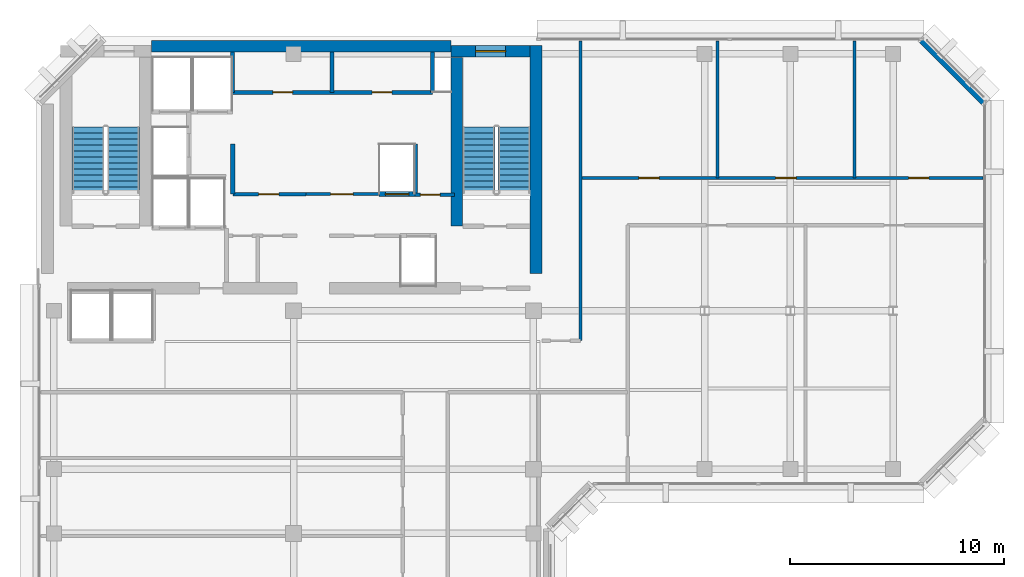
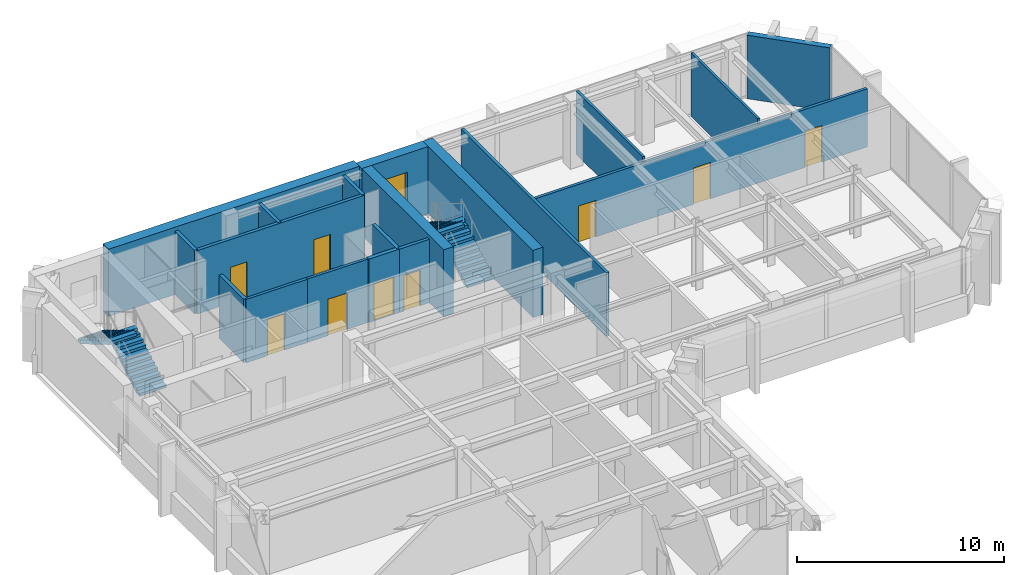
# One storey, part 8 of 11: 19 walls, 9 doors, 4 stair flights, 1 window, 10 openings, 2 elements without a shape of their own.
"""IFC4 building model written with IfcOpenShell, lengths in metres."""

from ifc_helpers import new_model, si_unit, direction, frame, frame_2d, origin, place, context, subcontext, project, spatial, polyline, rectangle, outline, extrude, material, layer, layer_set, type_object, element, fill, aggregate, save


model = new_model("IFC4")

# Units and contexts
model_context = context("Model", 3, precision=1e-05, world=origin(), true_north=direction((0.0, 1.0)))
body_context = subcontext(model_context, "Body", "Model", "MODEL_VIEW")
ifc_project = project(units=[si_unit("LENGTHUNIT", "METRE"), si_unit("AREAUNIT", "SQUARE_METRE"), si_unit("VOLUMEUNIT", "CUBIC_METRE"), si_unit("PLANEANGLEUNIT", "RADIAN"), si_unit("MASSUNIT", "GRAM", prefix="KILO")], contexts=[model_context])

# Site, building, storey
site_placement = place(None, origin())
site = spatial("IfcSite", under=ifc_project, at=site_placement, CompositionType="ELEMENT")
building_placement = place(site_placement, origin())
building = spatial("IfcBuilding", under=site, at=building_placement, Name="Kefirva Bronze Tower", CompositionType="ELEMENT")
storey_placement = place(building_placement, frame((0.0, 0.0, 315.81005859375)))
storey = spatial("IfcBuildingStorey", under=building, at=storey_placement, Name="L77", CompositionType="ELEMENT", Elevation=315.81005859375)

# Walls
ifc_material_1 = material(Name="Gypsum acoustic partition")
ifc_layer_1 = layer(ifc_material_1, 0.1298828125, Name="Gypsum acoustic partition")
ifc_layer_set_1 = layer_set([ifc_layer_1], Name="Gypsum acoustic partition")
wall_type_1 = type_object("IfcWallType", Name="Acoustic Office Partition 130mm", PredefinedType="PARTITIONING", material=ifc_layer_set_1)
for number, where, z_axis, x_axis, name in (
    (1, (31.79541015625, 39.39990234375, 0.0), (0.0, 0.0, 1.0), (0.0, 1.0, 0.0), "L77 Partition W-L77-END1"),
    (2, (38.19091796875, 39.39990234375, 0.0), (0.0, 0.0, 1.0), (0.0, 1.0, 0.0), "L77 Partition W-L77-END2"),
):
    element("IfcWall", number, at=place(storey_placement, frame(where, z_axis=z_axis, x_axis=x_axis)), inside=storey, type_object=wall_type_1, Name=name, PredefinedType="PARTITIONING", context=body_context, shape_type="SweptSolid", body=[
        extrude(rectangle(XDim=6.41015625, YDim=0.1298828125, at=frame_2d((3.205078125, 0.0))), origin(), (0.0, 0.0, 1.0), 3.739990234375),
    ])

# Wall, opening, door
ifc_layer_2 = layer(ifc_material_1, 0.14990234375, Name="Gypsum acoustic partition")
ifc_layer_set_2 = layer_set([ifc_layer_2], Name="Gypsum acoustic partition")
wall_type_2 = type_object("IfcWallType", Name="Executive Suite Partition 150mm", PredefinedType="PARTITIONING", material=ifc_layer_set_2)
wall_1_placement = place(storey_placement, frame((12.580078125, 38.64990234375, 0.0), z_axis=(0.0, 0.0, 1.0), x_axis=(1.0, 0.0, 0.0)))
wall_1 = element("IfcWall", 3, at=wall_1_placement, inside=storey, type_object=wall_type_2, Name="L77 Partition W-L77-RECMP2", PredefinedType="PARTITIONING", context=body_context, shape_type="SweptSolid", body=[
    extrude(rectangle(XDim=3.3798828125, YDim=0.14990234375, at=frame_2d((1.68994140625, 0.0))), origin(), (0.0, 0.0, 1.0), 3.739990234375),
])
opening_1_placement = place(wall_1_placement, frame((2.199951171875, 0.0, 0.0), z_axis=(0.0, 0.0, 1.0), x_axis=(-1.0, 0.0, 0.0)))
opening_1 = element("IfcOpeningElement", 4, at=opening_1_placement, cuts=wall_1, Name="Opening L77-D-RECMP2", PredefinedType="OPENING", context=body_context, shape_type="SweptSolid", body=[
    extrude(rectangle(XDim=1.050048828125, YDim=2.14990234375, at=frame_2d((0.52490234375, 1.074951171875))), frame((0.0, 0.0849609375, 0.0), z_axis=(0.0, -1.0, 0.0), x_axis=(1.0, 0.0, 0.0)), (0.0, 0.0, 1.0), 0.169921875),
])
ifc_material_2 = material(Name="Acoustic hardwood oak", Category="wood")
door_type_1 = type_object("IfcDoorType", Name="Executive & Boardroom Door 1050x2150", OperationType="NOTDEFINED", PredefinedType="DOOR", material=ifc_material_2)
door_1_placement = place(opening_1_placement, origin())
door_1 = element("IfcDoor", 5, at=door_1_placement, inside=storey, type_object=door_type_1, Name="Door L77-D-RECMP2", OperationType="SINGLE_SWING_RIGHT", OverallHeight=2.14990234375, OverallWidth=1.050048828125, PredefinedType="DOOR", context=body_context, shape_type="SweptSolid", body=[
    extrude(rectangle(XDim=1.050048828125, YDim=2.14990234375, at=frame_2d((0.52490234375, 1.074951171875))), frame((0.0, 0.02490234375, 0.0), z_axis=(0.0, -1.0, 0.0), x_axis=(1.0, 0.0, 0.0)), (0.0, 0.0, 1.0), 0.050048828125),
])
fill(opening_1, door_1)

# Walls
ifc_material_3 = material(Name="Gypsum fireboard shaftwall")
ifc_layer_3 = layer(ifc_material_3, 0.219970703125, Name="Gypsum fireboard shaftwall")
ifc_layer_set_3 = layer_set([ifc_layer_3], Name="Gypsum fireboard shaftwall")
wall_type_3 = type_object("IfcWallType", Name="Fire-Rated Shaft Enclosure Wall 220mm", PredefinedType="PARTITIONING", material=ifc_layer_set_3)
for number, where, z_axis, x_axis, name in (
    (6, (9.159912109375, 38.64990234375, 0.0), (0.0, 0.0, 1.0), (0.0, 1.0, 0.0), "L77 Partition W-L77-LP3W"),
    (7, (17.679931640625, 38.64990234375, 0.0), (0.0, 0.0, 1.0), (0.0, 1.0, 0.0), "L77 Partition W-L77-HP2E"),
):
    element("IfcWall", number, at=place(storey_placement, frame(where, z_axis=z_axis, x_axis=x_axis)), inside=storey, type_object=wall_type_3, Name=name, PredefinedType="PARTITIONING", context=body_context, shape_type="SweptSolid", body=[
        extrude(rectangle(XDim=2.35009765625, YDim=0.199951171875, at=frame_2d((1.175048828125, 0.0))), origin(), (0.0, 0.0, 1.0), 3.739990234375),
    ])

# Wall, opening, door
wall_2_placement = place(storey_placement, frame((15.97998046875, 38.64990234375, 0.0), z_axis=(0.0, 0.0, 1.0), x_axis=(1.0, 0.0, 0.0)))
wall_2 = element("IfcWall", 8, at=wall_2_placement, inside=storey, type_object=wall_type_3, Name="L77 Partition W-L77-HPN", PredefinedType="PARTITIONING", context=body_context, shape_type="SweptSolid", body=[
    extrude(rectangle(XDim=1.719970703125, YDim=0.219970703125, at=frame_2d((0.85986328125, 0.0))), origin(), (0.0, 0.0, 1.0), 3.739990234375),
])
opening_2_placement = place(wall_2_placement, frame((0.300048828125, 0.0, 0.0)))
opening_2 = element("IfcOpeningElement", 9, at=opening_2_placement, cuts=wall_2, Name="Opening L77-LD-HP2", PredefinedType="OPENING", context=body_context, shape_type="SweptSolid", body=[
    extrude(rectangle(XDim=1.10009765625, YDim=2.199951171875, at=frame_2d((0.550048828125, 1.10009765625))), frame((0.0, 0.1201171875, 0.0), z_axis=(0.0, -1.0, 0.0), x_axis=(1.0, 0.0, 0.0)), (0.0, 0.0, 1.0), 0.239990234375),
])
ifc_material_4 = material(Name="Stainless steel 316", Category="steel")
door_type_2 = type_object("IfcDoorType", Name="Passenger Lift Sliding Landing Door 1100x2200", OperationType="SLIDING_TO_LEFT", PredefinedType="DOOR", material=ifc_material_4)
door_2_placement = place(opening_2_placement, origin())
door_2 = element("IfcDoor", 10, at=door_2_placement, inside=storey, type_object=door_type_2, Name="Door L77-LD-HP2", OperationType="SLIDING_TO_LEFT", OverallHeight=2.199951171875, OverallWidth=1.10009765625, PredefinedType="DOOR", context=body_context, shape_type="SweptSolid", body=[
    extrude(rectangle(XDim=1.10009765625, YDim=2.199951171875, at=frame_2d((0.550048828125, 1.10009765625))), frame((0.0, 0.02490234375, 0.0), z_axis=(0.0, -1.0, 0.0), x_axis=(1.0, 0.0, 0.0)), (0.0, 0.0, 1.0), 0.050048828125),
])
fill(opening_2, door_2)

ifc_material_5 = material(Name="Gypsum fireboard barrier")
ifc_layer_4 = layer(ifc_material_5, 0.199951171875, Name="Gypsum fireboard barrier")
ifc_layer_set_4 = layer_set([ifc_layer_4], Name="Gypsum fireboard barrier")
wall_type_4 = type_object("IfcWallType", Name="Firefighting Lobby Barrier Wall 200mm", PredefinedType="PARTITIONING", material=ifc_layer_set_4)
wall_3_placement = place(storey_placement, frame((17.679931640625, 38.6201171875, 0.0), z_axis=(0.0, 0.0, 1.0), x_axis=(1.0, 0.0, 0.0)))
wall_3 = element("IfcWall", 11, at=wall_3_placement, inside=storey, type_object=wall_type_4, Name="L77 Partition W-L77-CPASS", PredefinedType="PARTITIONING", context=body_context, shape_type="SweptSolid", body=[
    extrude(rectangle(XDim=1.840087890625, YDim=0.179931640625, at=frame_2d((0.919921875, 0.0))), origin(), (0.0, 0.0, 1.0), 3.739990234375),
])
opening_3_placement = place(wall_3_placement, frame((0.239990234375, 0.0, 0.0)))
opening_3 = element("IfcOpeningElement", 12, at=opening_3_placement, cuts=wall_3, Name="Opening L77-D-CPAS", PredefinedType="OPENING", context=body_context, shape_type="SweptSolid", body=[
    extrude(rectangle(XDim=0.919921875, YDim=2.10009765625, at=frame_2d((0.4599609375, 1.050048828125))), frame((0.0, 0.10009765625, 0.0), z_axis=(0.0, -1.0, 0.0), x_axis=(1.0, 0.0, 0.0)), (0.0, 0.0, 1.0), 0.199951171875),
])
ifc_material_6 = material(Name="Moisture-resistant timber", Category="wood")
door_type_3 = type_object("IfcDoorType", Name="Accessible Sanitary & WC Door 920x2100", OperationType="NOTDEFINED", PredefinedType="DOOR", material=ifc_material_6)
door_3_placement = place(opening_3_placement, origin())
door_3 = element("IfcDoor", 13, at=door_3_placement, inside=storey, type_object=door_type_3, Name="Door L77-D-CPAS", OperationType="SINGLE_SWING_LEFT", OverallHeight=2.10009765625, OverallWidth=0.919921875, PredefinedType="DOOR", context=body_context, shape_type="SweptSolid", body=[
    extrude(rectangle(XDim=0.919921875, YDim=2.10009765625, at=frame_2d((0.4599609375, 1.050048828125))), frame((0.0, 0.02490234375, 0.0), z_axis=(0.0, -1.0, 0.0), x_axis=(1.0, 0.0, 0.0)), (0.0, 0.0, 1.0), 0.050048828125),
])
fill(opening_3, door_3)

# Wall
ifc_material_7 = material(Name="Precast concrete C40/50", Category="concrete")
ifc_layer_5 = layer(ifc_material_7, 0.320068359375, Name="Precast concrete C40/50")
ifc_layer_set_5 = layer_set([ifc_layer_5], Name="Precast concrete C40/50")
wall_type_5 = type_object("IfcWallType", Name="Precast Insulated Exterior Wall 320mm", PredefinedType="SOLIDWALL", material=ifc_layer_set_5)
wall_4_placement = place(storey_placement, frame((44.248046875, 42.92578125, 0.0), z_axis=(0.0, 0.0, 1.0), x_axis=(-0.707136318428, 0.707077242712, 0.0)))
element("IfcWall", 14, at=wall_4_placement, inside=storey, type_object=wall_type_5, Name="L77 Exterior Facade Wall 5", PredefinedType="SOLIDWALL", context=body_context, shape_type="SweptSolid", body=[
    extrude(rectangle(XDim=4.132568359375, YDim=0.320068359375, at=frame_2d((2.06640625, 0.0))), origin(), (0.0, 0.0, 1.0), 3.739990234375),
])

# Wall, opening, door
ifc_layer_6 = layer(ifc_material_1, 0.159912109375, Name="Gypsum acoustic partition")
ifc_layer_set_6 = layer_set([ifc_layer_6], Name="Gypsum acoustic partition")
wall_type_6 = type_object("IfcWallType", Name="Protected Corridor Partition 160mm", PredefinedType="PARTITIONING", material=ifc_layer_set_6)
wall_5_placement = place(storey_placement, frame((9.159912109375, 38.64990234375, 0.0), z_axis=(0.0, 0.0, 1.0), x_axis=(1.0, 0.0, 0.0)))
wall_5 = element("IfcWall", 15, at=wall_5_placement, inside=storey, type_object=wall_type_6, Name="L77 Partition W-L77-RECLP2", PredefinedType="PARTITIONING", context=body_context, shape_type="SweptSolid", body=[
    extrude(rectangle(XDim=3.420166015625, YDim=0.159912109375, at=frame_2d((1.7099609375, 0.0))), origin(), (0.0, 0.0, 1.0), 3.739990234375),
])
opening_4_placement = place(wall_5_placement, frame((2.14990234375, 0.0, 0.0), z_axis=(0.0, 0.0, 1.0), x_axis=(-1.0, 0.0, 0.0)))
opening_4 = element("IfcOpeningElement", 16, at=opening_4_placement, cuts=wall_5, Name="Opening L77-D-RECLP2", PredefinedType="OPENING", context=body_context, shape_type="SweptSolid", body=[
    extrude(rectangle(XDim=0.949951171875, YDim=2.14990234375, at=frame_2d((0.47509765625, 1.074951171875))), frame((0.0, 0.08984375, 0.0), z_axis=(0.0, -1.0, 0.0), x_axis=(1.0, 0.0, 0.0)), (0.0, 0.0, 1.0), 0.179931640625),
])
door_type_4 = type_object("IfcDoorType", Name="Office & Meeting Room Door 950x2150", OperationType="NOTDEFINED", PredefinedType="DOOR", material=ifc_material_2)
door_4_placement = place(opening_4_placement, origin())
door_4 = element("IfcDoor", 17, at=door_4_placement, inside=storey, type_object=door_type_4, Name="Door L77-D-RECLP2", OperationType="SINGLE_SWING_RIGHT", OverallHeight=2.14990234375, OverallWidth=0.949951171875, PredefinedType="DOOR", context=body_context, shape_type="SweptSolid", body=[
    extrude(rectangle(XDim=0.949951171875, YDim=2.14990234375, at=frame_2d((0.47509765625, 1.074951171875))), frame((0.0, 0.02490234375, 0.0), z_axis=(0.0, -1.0, 0.0), x_axis=(1.0, 0.0, 0.0)), (0.0, 0.0, 1.0), 0.050048828125),
])
fill(opening_4, door_4)

# Wall
wall_6_placement = place(storey_placement, frame((25.39990234375, 31.800048828125, 0.0), z_axis=(0.0, 0.0, 1.0), x_axis=(0.0, 1.0, 0.0)))
element("IfcWall", 18, at=wall_6_placement, inside=storey, type_object=wall_type_6, Name="L77 Partition W-L77-ELKW", PredefinedType="PARTITIONING", context=body_context, shape_type="SweptSolid", body=[
    extrude(rectangle(XDim=14.010009765625, YDim=0.159912109375, at=frame_2d((7.0048828125, 0.0))), origin(), (0.0, 0.0, 1.0), 3.739990234375),
])

# Wall, openings, doors
wall_7_placement = place(storey_placement, frame((25.39990234375, 39.39990234375, 0.0), z_axis=(0.0, 0.0, 1.0), x_axis=(1.0, 0.0, 0.0)))
wall_7 = element("IfcWall", 19, at=wall_7_placement, inside=storey, type_object=wall_type_6, Name="L77 Partition W-L77-ECN", PredefinedType="PARTITIONING", context=body_context, shape_type="SweptSolid", body=[
    extrude(rectangle(XDim=18.81005859375, YDim=0.159912109375, at=frame_2d((9.405029296875, 0.0))), origin(), (0.0, 0.0, 1.0), 3.425048828125),
])
opening_5_placement = place(wall_7_placement, frame((2.72265625, 0.0, 0.0)))
opening_5 = element("IfcOpeningElement", 20, at=opening_5_placement, cuts=wall_7, Name="Opening L77-D-EN1", PredefinedType="OPENING", context=body_context, shape_type="SweptSolid", body=[
    extrude(rectangle(XDim=0.949951171875, YDim=2.14990234375, at=frame_2d((0.47509765625, 1.074951171875))), frame((0.0, 0.08984375, 0.0), z_axis=(0.0, -1.0, 0.0), x_axis=(1.0, 0.0, 0.0)), (0.0, 0.0, 1.0), 0.179931640625),
])
opening_6_placement = place(wall_7_placement, frame((9.1181640625, 0.0, 0.0)))
opening_6 = element("IfcOpeningElement", 21, at=opening_6_placement, cuts=wall_7, Name="Opening L77-D-EN2", PredefinedType="OPENING", context=body_context, shape_type="SweptSolid", body=[
    extrude(rectangle(XDim=0.949951171875, YDim=2.14990234375, at=frame_2d((0.47509765625, 1.074951171875))), frame((0.0, 0.08984375, 0.0), z_axis=(0.0, -1.0, 0.0), x_axis=(1.0, 0.0, 0.0)), (0.0, 0.0, 1.0), 0.179931640625),
])
opening_7_placement = place(wall_7_placement, frame((15.325439453125, 0.0, 0.0)))
opening_7 = element("IfcOpeningElement", 22, at=opening_7_placement, cuts=wall_7, Name="Opening L77-D-EN3", PredefinedType="OPENING", context=body_context, shape_type="SweptSolid", body=[
    extrude(rectangle(XDim=0.949951171875, YDim=2.14990234375, at=frame_2d((0.47509765625, 1.074951171875))), frame((0.0, 0.08984375, 0.0), z_axis=(0.0, -1.0, 0.0), x_axis=(1.0, 0.0, 0.0)), (0.0, 0.0, 1.0), 0.179931640625),
])
door_5_placement = place(opening_5_placement, origin())
door_5 = element("IfcDoor", 23, at=door_5_placement, inside=storey, type_object=door_type_4, Name="Door L77-D-EN1", OperationType="SINGLE_SWING_RIGHT", OverallHeight=2.14990234375, OverallWidth=0.949951171875, PredefinedType="DOOR", context=body_context, shape_type="SweptSolid", body=[
    extrude(rectangle(XDim=0.949951171875, YDim=2.14990234375, at=frame_2d((0.47509765625, 1.074951171875))), frame((0.0, 0.02490234375, 0.0), z_axis=(0.0, -1.0, 0.0), x_axis=(1.0, 0.0, 0.0)), (0.0, 0.0, 1.0), 0.050048828125),
])
fill(opening_5, door_5)
door_6_placement = place(opening_6_placement, origin())
door_6 = element("IfcDoor", 24, at=door_6_placement, inside=storey, type_object=door_type_4, Name="Door L77-D-EN2", OperationType="SINGLE_SWING_LEFT", OverallHeight=2.14990234375, OverallWidth=0.949951171875, PredefinedType="DOOR", context=body_context, shape_type="SweptSolid", body=[
    extrude(rectangle(XDim=0.949951171875, YDim=2.14990234375, at=frame_2d((0.47509765625, 1.074951171875))), frame((0.0, 0.02490234375, 0.0), z_axis=(0.0, -1.0, 0.0), x_axis=(1.0, 0.0, 0.0)), (0.0, 0.0, 1.0), 0.050048828125),
])
fill(opening_6, door_6)
door_7_placement = place(opening_7_placement, origin())
door_7 = element("IfcDoor", 25, at=door_7_placement, inside=storey, type_object=door_type_4, Name="Door L77-D-EN3", OperationType="SINGLE_SWING_RIGHT", OverallHeight=2.14990234375, OverallWidth=0.949951171875, PredefinedType="DOOR", context=body_context, shape_type="SweptSolid", body=[
    extrude(rectangle(XDim=0.949951171875, YDim=2.14990234375, at=frame_2d((0.47509765625, 1.074951171875))), frame((0.0, 0.02490234375, 0.0), z_axis=(0.0, -1.0, 0.0), x_axis=(1.0, 0.0, 0.0)), (0.0, 0.0, 1.0), 0.050048828125),
])
fill(opening_7, door_7)

# Wall
ifc_material_8 = material(Name="Concrete C50/60", Category="concrete")
ifc_layer_7 = layer(ifc_material_8, 0.550048828125, Name="Concrete C50/60")
ifc_layer_set_7 = layer_set([ifc_layer_7], Name="Concrete C50/60")
wall_type_7 = type_object("IfcWallType", Name="RC Rear Core Exterior Wall 550mm", PredefinedType="SHEAR", material=ifc_layer_set_7)
wall_8_placement = place(storey_placement, frame((5.360107421875, 45.550048828125, 0.0), z_axis=(0.0, 0.0, 1.0), x_axis=(1.0, 0.0, 0.0)))
element("IfcWall", 26, at=wall_8_placement, inside=storey, type_object=wall_type_7, Name="L77 Rear Core North Shear Wall", PredefinedType="SHEAR", context=body_context, shape_type="SweptSolid", body=[
    extrude(rectangle(XDim=13.97998046875, YDim=0.550048828125, at=frame_2d((6.989990234375, 0.0))), origin(), (0.0, 0.0, 1.0), 3.9599609375),
])

# Wall, opening, window
wall_9_placement = place(storey_placement, frame((19.35009765625, 45.320068359375, 0.0), z_axis=(0.0, 0.0, 1.0), x_axis=(1.0, 0.0, 0.0)))
wall_9 = element("IfcWall", 27, at=wall_9_placement, inside=storey, type_object=wall_type_7, Name="L77 Stair 2 North Shear Wall", PredefinedType="SHEAR", context=body_context, shape_type="SweptSolid", body=[
    extrude(rectangle(XDim=3.68994140625, YDim=0.550048828125, at=frame_2d((1.844970703125, 0.0))), origin(), (0.0, 0.0, 1.0), 3.9599609375),
])
opening_8_placement = place(wall_9_placement, frame((1.14990234375, 0.0, 1.050048828125)))
opening_8 = element("IfcOpeningElement", 28, at=opening_8_placement, cuts=wall_9, Name="Opening WN-03", PredefinedType="OPENING", context=body_context, shape_type="SweptSolid", body=[
    extrude(rectangle(XDim=1.39990234375, YDim=1.800048828125, at=frame_2d((0.699951171875, 0.89990234375))), frame((0.0, 0.28515625, 0.0), z_axis=(0.0, -1.0, 0.0), x_axis=(1.0, 0.0, 0.0)), (0.0, 0.0, 1.0), 0.570068359375),
])
ifc_material_9 = material(Name="Laminated low-E double glazing", Category="glass")
window_type = type_object("IfcWindowType", Name="Rear-Core Stair Daylight Window 1400x1800", PartitioningType="SINGLE_PANEL", PredefinedType="WINDOW", material=ifc_material_9)
window_placement = place(opening_8_placement, origin())
window = element("IfcWindow", 29, at=window_placement, inside=storey, type_object=window_type, Name="L77 Stair 2 Daylight Window", OverallHeight=1.800048828125, OverallWidth=1.39990234375, PartitioningType="SINGLE_PANEL", PredefinedType="WINDOW", context=body_context, shape_type="SweptSolid", body=[
    extrude(rectangle(XDim=1.39990234375, YDim=1.800048828125, at=frame_2d((0.699951171875, 0.89990234375))), frame((0.0, 0.030029296875, 0.0), z_axis=(0.0, -1.0, 0.0), x_axis=(1.0, 0.0, 0.0)), (0.0, 0.0, 1.0), 0.06005859375),
])
fill(opening_8, window)

# Walls
ifc_layer_8 = layer(ifc_material_8, 0.550048828125, Name="Concrete C50/60")
ifc_layer_set_8 = layer_set([ifc_layer_8], Name="Concrete C50/60")
wall_type_8 = type_object("IfcWallType", Name="RC Rear Core Interior Wall 550mm", PredefinedType="SHEAR", material=ifc_layer_set_8)
wall_10_placement = place(storey_placement, frame((23.324951171875, 34.949951171875, 0.0), z_axis=(0.0, 0.0, 1.0), x_axis=(0.0, 1.0, 0.0)))
element("IfcWall", 30, at=wall_10_placement, inside=storey, type_object=wall_type_8, Name="L77 Rear Core East Shear Wall", PredefinedType="SHEAR", context=body_context, shape_type="SweptSolid", body=[
    extrude(rectangle(XDim=10.64013671875, YDim=0.550048828125, at=frame_2d((5.320068359375, 0.0))), origin(), (0.0, 0.0, 1.0), 3.9599609375),
])
wall_11_placement = place(storey_placement, frame((19.6201171875, 37.14990234375, 0.0), z_axis=(0.0, 0.0, 1.0), x_axis=(0.0, 1.0, 0.0)))
element("IfcWall", 31, at=wall_11_placement, inside=storey, type_object=wall_type_8, Name="L77 Stair 2 West Shear Wall", PredefinedType="SHEAR", context=body_context, shape_type="SweptSolid", body=[
    extrude(rectangle(XDim=7.89013671875, YDim=0.550048828125, at=frame_2d((3.945068359375, 0.0))), origin(), (0.0, 0.0, 1.0), 3.9599609375),
])

# Wall, openings, doors
ifc_material_10 = material(Name="Moisture-resistant partition")
ifc_layer_9 = layer(ifc_material_10, 0.179931640625, Name="Moisture-resistant partition")
ifc_layer_set_9 = layer_set([ifc_layer_9], Name="Moisture-resistant partition")
wall_type_9 = type_object("IfcWallType", Name="Sanitary Plumbing Chase Wall 180mm", PredefinedType="PLUMBINGWALL", material=ifc_layer_set_9)
wall_12_placement = place(storey_placement, frame((9.14990234375, 43.39990234375, 0.0), z_axis=(0.0, 0.0, 1.0), x_axis=(1.0, 0.0, 0.0)))
wall_12 = element("IfcWall", 32, at=wall_12_placement, inside=storey, type_object=wall_type_9, Name="L77 Partition W-L77-SVCS", PredefinedType="PLUMBINGWALL", context=body_context, shape_type="SweptSolid", body=[
    extrude(rectangle(XDim=9.330078125, YDim=0.179931640625, at=frame_2d((4.6650390625, 0.0))), origin(), (0.0, 0.0, 1.0), 3.739990234375),
])
opening_9_placement = place(wall_12_placement, frame((1.8798828125, 0.0, 0.0)))
opening_9 = element("IfcOpeningElement", 33, at=opening_9_placement, cuts=wall_12, Name="Opening L77-D-CSVC1", PredefinedType="OPENING", context=body_context, shape_type="SweptSolid", body=[
    extrude(rectangle(XDim=0.919921875, YDim=2.10009765625, at=frame_2d((0.4599609375, 1.050048828125))), frame((0.0, 0.10009765625, 0.0), z_axis=(0.0, -1.0, 0.0), x_axis=(1.0, 0.0, 0.0)), (0.0, 0.0, 1.0), 0.199951171875),
])
opening_10_placement = place(wall_12_placement, frame((6.514892578125, 0.0, 0.0)))
opening_10 = element("IfcOpeningElement", 34, at=opening_10_placement, cuts=wall_12, Name="Opening L77-D-CSVC2", PredefinedType="OPENING", context=body_context, shape_type="SweptSolid", body=[
    extrude(rectangle(XDim=0.919921875, YDim=2.10009765625, at=frame_2d((0.4599609375, 1.050048828125))), frame((0.0, 0.10009765625, 0.0), z_axis=(0.0, -1.0, 0.0), x_axis=(1.0, 0.0, 0.0)), (0.0, 0.0, 1.0), 0.199951171875),
])
door_8_placement = place(opening_9_placement, origin())
door_8 = element("IfcDoor", 35, at=door_8_placement, inside=storey, type_object=door_type_3, Name="Door L77-D-CSVC1", OperationType="SINGLE_SWING_LEFT", OverallHeight=2.10009765625, OverallWidth=0.919921875, PredefinedType="DOOR", context=body_context, shape_type="SweptSolid", body=[
    extrude(rectangle(XDim=0.919921875, YDim=2.10009765625, at=frame_2d((0.4599609375, 1.050048828125))), frame((0.0, 0.02490234375, 0.0), z_axis=(0.0, -1.0, 0.0), x_axis=(1.0, 0.0, 0.0)), (0.0, 0.0, 1.0), 0.050048828125),
])
fill(opening_9, door_8)
door_9_placement = place(opening_10_placement, origin())
door_9 = element("IfcDoor", 36, at=door_9_placement, inside=storey, type_object=door_type_3, Name="Door L77-D-CSVC2", OperationType="SINGLE_SWING_RIGHT", OverallHeight=2.10009765625, OverallWidth=0.919921875, PredefinedType="DOOR", context=body_context, shape_type="SweptSolid", body=[
    extrude(rectangle(XDim=0.919921875, YDim=2.10009765625, at=frame_2d((0.4599609375, 1.050048828125))), frame((0.0, 0.02490234375, 0.0), z_axis=(0.0, -1.0, 0.0), x_axis=(1.0, 0.0, 0.0)), (0.0, 0.0, 1.0), 0.050048828125),
])
fill(opening_10, door_9)

# Walls
for number, where, z_axis, x_axis, name in (
    (37, (9.14990234375, 43.39990234375, 0.0), (0.0, 0.0, 1.0), (0.0, 1.0, 0.0), "L77 Partition W-L77-SVCW"),
    (38, (18.47998046875, 43.39990234375, 0.0), (0.0, 0.0, 1.0), (0.0, 1.0, 0.0), "L77 Partition W-L77-SVCE"),
    (39, (13.800048828125, 43.39990234375, 0.0), (0.0, 0.0, 1.0), (0.0, 1.0, 0.0), "L77 Partition W-L77-CSVD-1"),
):
    element("IfcWall", number, at=place(storey_placement, frame(where, z_axis=z_axis, x_axis=x_axis)), inside=storey, type_object=wall_type_9, Name=name, PredefinedType="PLUMBINGWALL", context=body_context, shape_type="SweptSolid", body=[
        extrude(rectangle(XDim=1.880126953125, YDim=0.179931640625, at=frame_2d((0.93994140625, 0.0))), origin(), (0.0, 0.0, 1.0), 3.739990234375),
    ])

# Stair, stair flights
ifc_material_11 = material(Name="Concrete C40/50", Category="concrete")
stair_type = type_object("IfcStairType", Name="RC Dogleg Protected Stair 24R", PredefinedType="HALF_TURN_STAIR", material=ifc_material_11)
stair_1_placement = place(storey_placement, origin())
stair_1 = element("IfcStair", 40, at=stair_1_placement, inside=storey, type_object=stair_type, Name="L77 Protected Exit Stair 1", PredefinedType="HALF_TURN_STAIR")
stair_flight_type = type_object("IfcStairFlightType", Name="RC Straight Stair Flight 24R", PredefinedType="STRAIGHT", material=ifc_material_11)
stair_flight_1_placement = place(storey_placement, frame((4.050048828125, 38.699951171875, 0.0), z_axis=(0.0, 0.0, 1.0), x_axis=(0.0, 1.0, 0.0)))
stair_flight_1 = element("IfcStairFlight", 41, at=stair_flight_1_placement, type_object=stair_flight_type, Name="ST-1 flight 1", NumberOfRisers=12, NumberOfTreads=11, PredefinedType="STRAIGHT", RiserHeight=0.165, TreadLength=0.28, context=body_context, shape_type="SweptSolid", body=[
    extrude(outline(polyline([(0.0, 0.0), (0.0, 0.1650390625), (0.280029296875, 0.1650390625), (0.280029296875, 0.330078125), (0.56005859375, 0.330078125), (0.56005859375, 0.4951171875), (0.840087890625, 0.4951171875), (0.840087890625, 0.659912109375), (1.1201171875, 0.659912109375), (1.1201171875, 0.824951171875), (1.39990234375, 0.824951171875), (1.39990234375, 0.989990234375), (1.679931640625, 0.989990234375), (1.679931640625, 1.155029296875), (1.9599609375, 1.155029296875), (1.9599609375, 1.320068359375), (2.239990234375, 1.320068359375), (2.239990234375, 1.485107421875), (2.52001953125, 1.485107421875), (2.52001953125, 1.64990234375), (2.800048828125, 1.64990234375), (2.800048828125, 1.81494140625), (3.080078125, 1.81494140625), (3.080078125, 1.97998046875), (3.080078125, 1.64111328125), (0.295166015625, 0.0), (0.0, 0.0)])), frame((0.0, 0.75, 0.0), z_axis=(0.0, -1.0, 0.0), x_axis=(1.0, 0.0, 0.0)), (0.0, 0.0, 1.0), 1.5),
])
stair_flight_2_placement = place(storey_placement, frame((2.39990234375, 41.780029296875, 1.97998046875), z_axis=(0.0, 0.0, 1.0), x_axis=(0.0, -1.0, 0.0)))
stair_flight_2 = element("IfcStairFlight", 42, at=stair_flight_2_placement, type_object=stair_flight_type, Name="ST-1 flight 2", NumberOfRisers=12, NumberOfTreads=11, PredefinedType="STRAIGHT", RiserHeight=0.165, TreadLength=0.28, context=body_context, shape_type="SweptSolid", body=[
    extrude(outline(polyline([(0.0, 0.0), (0.0, 0.1650390625), (0.280029296875, 0.1650390625), (0.280029296875, 0.330078125), (0.56005859375, 0.330078125), (0.56005859375, 0.4951171875), (0.840087890625, 0.4951171875), (0.840087890625, 0.659912109375), (1.1201171875, 0.659912109375), (1.1201171875, 0.824951171875), (1.39990234375, 0.824951171875), (1.39990234375, 0.989990234375), (1.679931640625, 0.989990234375), (1.679931640625, 1.155029296875), (1.9599609375, 1.155029296875), (1.9599609375, 1.320068359375), (2.239990234375, 1.320068359375), (2.239990234375, 1.485107421875), (2.52001953125, 1.485107421875), (2.52001953125, 1.64990234375), (2.800048828125, 1.64990234375), (2.800048828125, 1.81494140625), (3.080078125, 1.81494140625), (3.080078125, 1.97998046875), (3.080078125, 1.64111328125), (0.295166015625, 0.0), (0.0, 0.0)])), frame((0.0, 0.75, 0.0), z_axis=(0.0, -1.0, 0.0), x_axis=(1.0, 0.0, 0.0)), (0.0, 0.0, 1.0), 1.5),
])
aggregate(stair_1, [stair_flight_1, stair_flight_2])

stair_2_placement = place(storey_placement, origin())
stair_2 = element("IfcStair", 43, at=stair_2_placement, inside=storey, type_object=stair_type, Name="L77 Protected Exit Stair 2", PredefinedType="HALF_TURN_STAIR")
stair_flight_3_placement = place(storey_placement, frame((22.300048828125, 38.699951171875, 0.0), z_axis=(0.0, 0.0, 1.0), x_axis=(0.0, 1.0, 0.0)))
stair_flight_3 = element("IfcStairFlight", 44, at=stair_flight_3_placement, type_object=stair_flight_type, Name="ST-2 flight 1", NumberOfRisers=12, NumberOfTreads=11, PredefinedType="STRAIGHT", RiserHeight=0.165, TreadLength=0.28, context=body_context, shape_type="SweptSolid", body=[
    extrude(outline(polyline([(0.0, 0.0), (0.0, 0.1650390625), (0.280029296875, 0.1650390625), (0.280029296875, 0.330078125), (0.56005859375, 0.330078125), (0.56005859375, 0.4951171875), (0.840087890625, 0.4951171875), (0.840087890625, 0.659912109375), (1.1201171875, 0.659912109375), (1.1201171875, 0.824951171875), (1.39990234375, 0.824951171875), (1.39990234375, 0.989990234375), (1.679931640625, 0.989990234375), (1.679931640625, 1.155029296875), (1.9599609375, 1.155029296875), (1.9599609375, 1.320068359375), (2.239990234375, 1.320068359375), (2.239990234375, 1.485107421875), (2.52001953125, 1.485107421875), (2.52001953125, 1.64990234375), (2.800048828125, 1.64990234375), (2.800048828125, 1.81494140625), (3.080078125, 1.81494140625), (3.080078125, 1.97998046875), (3.080078125, 1.64111328125), (0.295166015625, 0.0), (0.0, 0.0)])), frame((0.0, 0.75, 0.0), z_axis=(0.0, -1.0, 0.0), x_axis=(1.0, 0.0, 0.0)), (0.0, 0.0, 1.0), 1.5),
])
stair_flight_4_placement = place(storey_placement, frame((20.64990234375, 41.780029296875, 1.97998046875), z_axis=(0.0, 0.0, 1.0), x_axis=(0.0, -1.0, 0.0)))
stair_flight_4 = element("IfcStairFlight", 45, at=stair_flight_4_placement, type_object=stair_flight_type, Name="ST-2 flight 2", NumberOfRisers=12, NumberOfTreads=11, PredefinedType="STRAIGHT", RiserHeight=0.165, TreadLength=0.28, context=body_context, shape_type="SweptSolid", body=[
    extrude(outline(polyline([(0.0, 0.0), (0.0, 0.1650390625), (0.280029296875, 0.1650390625), (0.280029296875, 0.330078125), (0.56005859375, 0.330078125), (0.56005859375, 0.4951171875), (0.840087890625, 0.4951171875), (0.840087890625, 0.659912109375), (1.1201171875, 0.659912109375), (1.1201171875, 0.824951171875), (1.39990234375, 0.824951171875), (1.39990234375, 0.989990234375), (1.679931640625, 0.989990234375), (1.679931640625, 1.155029296875), (1.9599609375, 1.155029296875), (1.9599609375, 1.320068359375), (2.239990234375, 1.320068359375), (2.239990234375, 1.485107421875), (2.52001953125, 1.485107421875), (2.52001953125, 1.64990234375), (2.800048828125, 1.64990234375), (2.800048828125, 1.81494140625), (3.080078125, 1.81494140625), (3.080078125, 1.97998046875), (3.080078125, 1.64111328125), (0.295166015625, 0.0), (0.0, 0.0)])), frame((0.0, 0.75, 0.0), z_axis=(0.0, -1.0, 0.0), x_axis=(1.0, 0.0, 0.0)), (0.0, 0.0, 1.0), 1.5),
])
aggregate(stair_2, [stair_flight_3, stair_flight_4])

save(model, "model.ifc")
